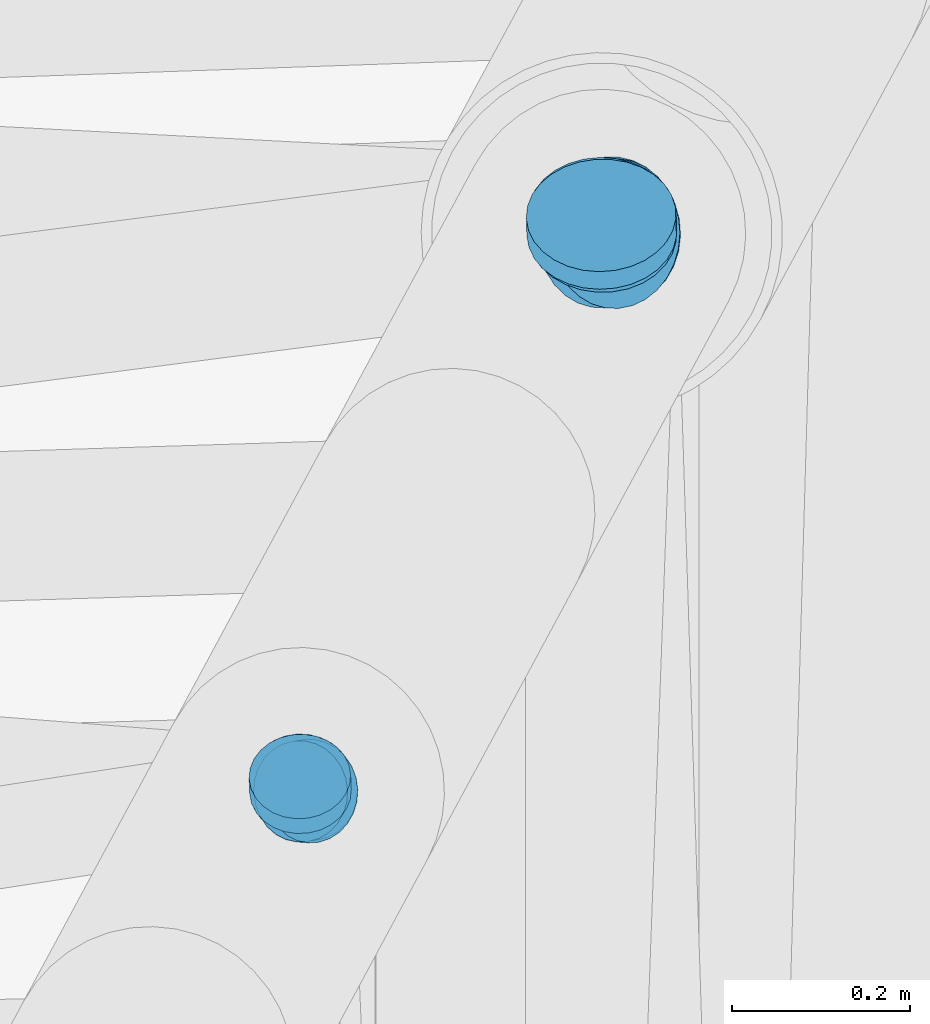
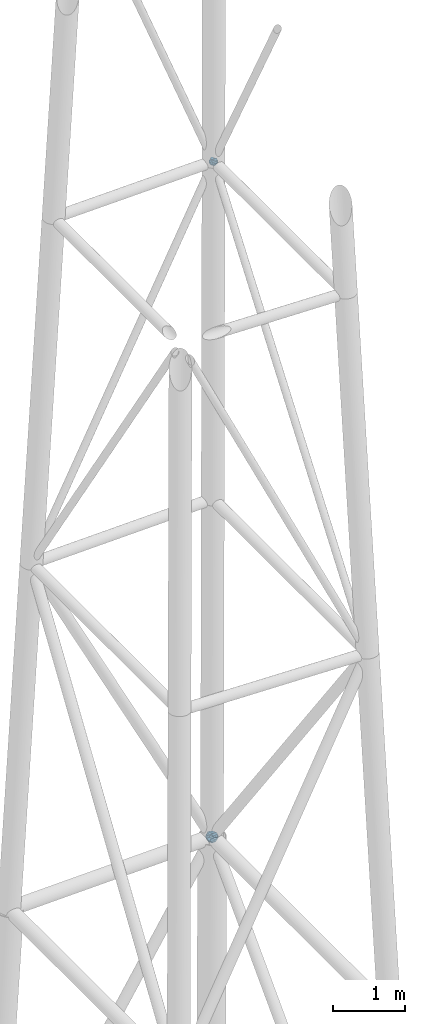
# One storey, part 9 of 10: 8 discrete accessories.
"""IFC4 building model written with IfcOpenShell, lengths in metres."""

from ifc_helpers import new_model, si_unit, direction, frame, origin, origin_2d, place, context, subcontext, project, spatial, circle, extrude, material, material_profile, profile_set, type_object, element, save


model = new_model("IFC4")

# Units and contexts
model_context = context("Model", 3, precision=1e-05, world=origin(), true_north=direction((0.0, 1.0)))
body_context = subcontext(model_context, "Body", "Model", "MODEL_VIEW")
ifc_project = project(units=[si_unit("LENGTHUNIT", "METRE"), si_unit("AREAUNIT", "SQUARE_METRE"), si_unit("VOLUMEUNIT", "CUBIC_METRE"), si_unit("PLANEANGLEUNIT", "RADIAN"), si_unit("MASSUNIT", "GRAM", prefix="KILO")], contexts=[model_context])

# Site, building, storey
site_placement = place(None, origin())
site = spatial("IfcSite", under=ifc_project, at=site_placement, CompositionType="ELEMENT")
building_placement = place(site_placement, origin())
building = spatial("IfcBuilding", under=site, at=building_placement, Name="Alderwake Tower", CompositionType="ELEMENT")
storey_placement = place(building_placement, frame((0.0, 0.0, 319.25)))
storey = spatial("IfcBuildingStorey", under=building, at=storey_placement, Name="Upper roof", CompositionType="ELEMENT", Elevation=319.25)

# Discrete accessories
ifc_material_1 = material(Name="Steel ASTM A572 Grade 50", Category="steel")
ifc_material_profile_1 = material_profile(ifc_material_1, circle(Radius=0.05712890625, at=origin_2d()), Name="HSS4.500X0.237 cap")
ifc_profile_set_1 = profile_set([ifc_material_profile_1], Name="Steel ASTM A572 Grade 50")
discrete_accessory_type_1 = type_object("IfcDiscreteAccessoryType", Name="End cap plate HSS4.500X0.237", PredefinedType="USERDEFINED", material=ifc_profile_set_1)
for number, where, z_axis, x_axis, name in (
    (1, (23.97509765625, 62.84765625, 31.75), (0.423999152003, -0.032615319385, 0.905075112929), (0.076696498885, 0.997054485502, 0.0), "End cap MD2.6 N"),
    (2, (23.97509765625, 62.84765625, 31.75), (-0.024464742829, 0.554534170788, 0.831801256182), (-0.999028234938, -0.044074775071, 0.0), "End cap MD4.6 N"),
    (3, (23.97509765625, 62.84765625, 31.75), (0.373588851597, 0.056850477417, -0.925850632219), (-0.150441996986, 0.98861883734, 0.0), "End cap MD2.7 S"),
    (4, (23.97509765625, 62.84765625, 31.75), (0.02444767752, 0.488953550397, -0.871967164874), (-0.998752338878, 0.049937616944, 0.0), "End cap MD4.7 S"),
):
    element("IfcDiscreteAccessory", number, at=place(storey_placement, frame(where, z_axis=z_axis, x_axis=x_axis)), inside=storey, type_object=discrete_accessory_type_1, Name=name, ObjectType="END CAP", PredefinedType="USERDEFINED", context=body_context, shape_type="SweptSolid", body=[
        extrude(circle(Radius=0.05712890625, at=origin_2d()), origin(), (0.0, 0.0, 1.0), 0.030029296875),
    ])
ifc_material_2 = material(Name="Steel ASTM A572 Grade 50", Category="steel")
ifc_material_profile_2 = material_profile(ifc_material_2, circle(Radius=0.084228515625, at=origin_2d()), Name="HSS6.625X0.280 cap")
ifc_profile_set_2 = profile_set([ifc_material_profile_2], Name="Steel ASTM A572 Grade 50")
discrete_accessory_type_2 = type_object("IfcDiscreteAccessoryType", Name="End cap plate HSS6.625X0.280", PredefinedType="USERDEFINED", material=ifc_profile_set_2)
for number, where, z_axis, x_axis, name in (
    (5, (24.313720703125, 63.47509765625, 19.75), (0.504732720976, -0.024422551015, 0.862930135862), (0.048330551423, 0.998831396082, 0.0), "End cap MD2.4 N"),
    (6, (24.313720703125, 63.47509765625, 19.75), (-0.024467183649, 0.660613958513, 0.750326965224), (-0.999314833767, -0.03701166051, 0.0), "End cap MD4.4 N"),
    (7, (24.313720703125, 63.47509765625, 19.75), (0.456235468955, 0.057029433619, -0.888029752074), (-0.124034734589, 0.992277876714, 0.0), "End cap MD2.5 S"),
    (8, (24.313720703125, 63.47509765625, 19.75), (0.016309286256, 0.611598234616, -0.791000383436), (-0.999644633962, 0.026657190239, 0.0), "End cap MD4.5 S"),
):
    element("IfcDiscreteAccessory", number, at=place(storey_placement, frame(where, z_axis=z_axis, x_axis=x_axis)), inside=storey, type_object=discrete_accessory_type_2, Name=name, ObjectType="END CAP", PredefinedType="USERDEFINED", context=body_context, shape_type="SweptSolid", body=[
        extrude(circle(Radius=0.084228515625, at=origin_2d()), origin(), (0.0, 0.0, 1.0), 0.030029296875),
    ])

save(model, "model.ifc")
